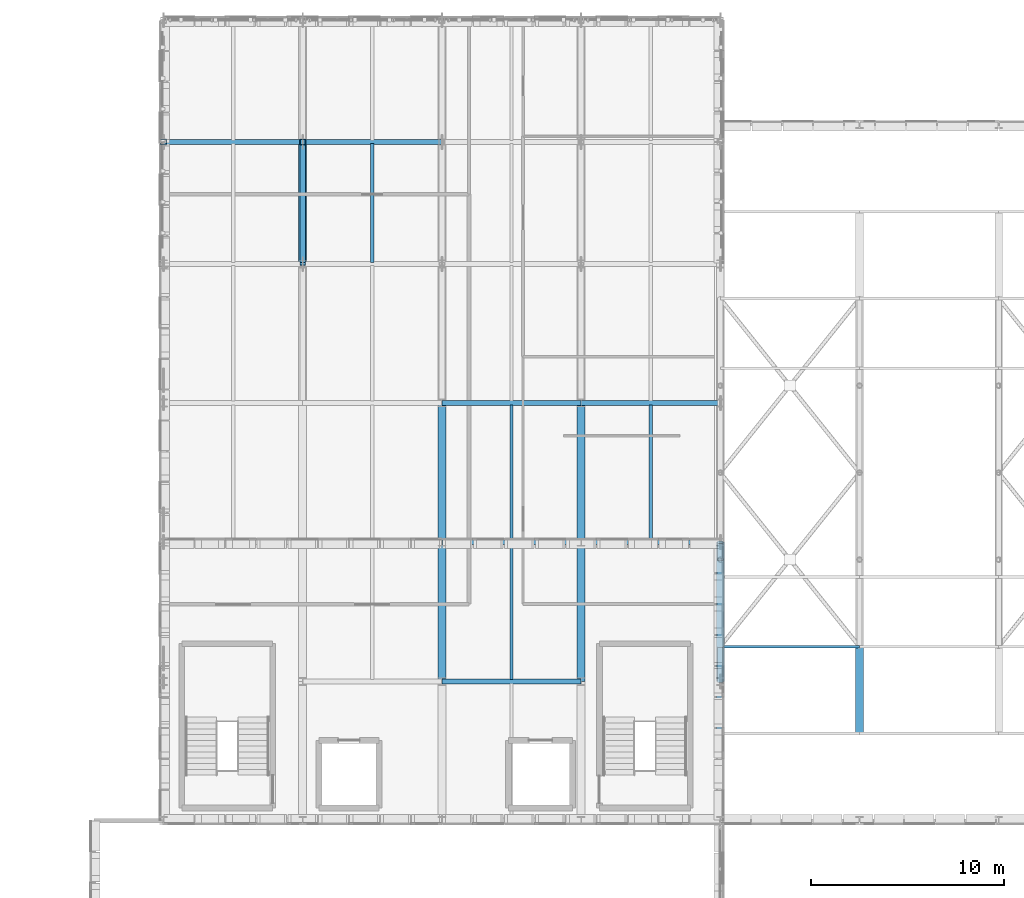
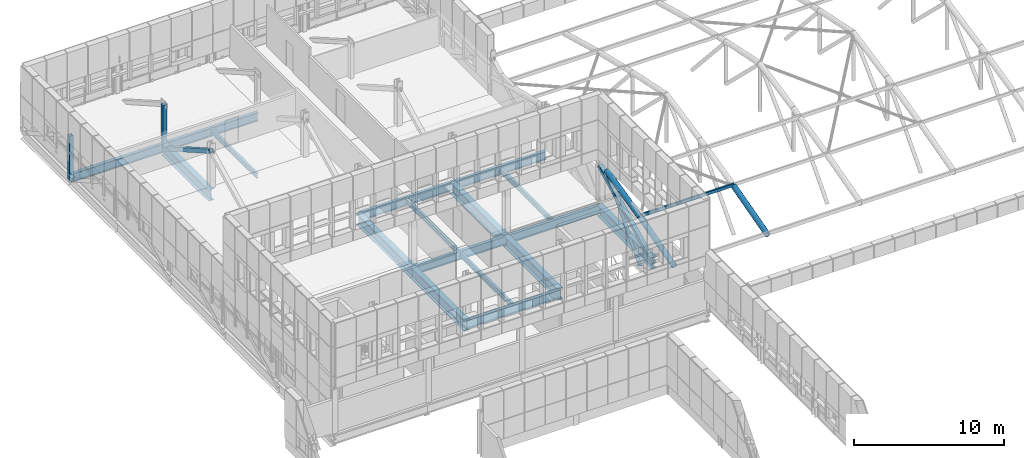
# One storey, part 21 of 96: 17 beams, 9 members.
"""IFC4 building model written with IfcOpenShell, lengths in metres."""

import ifcopenshell
import ifcopenshell.guid

model = None  # the IFC model being written
_history = None  # IfcOwnerHistory: only IFC2X3 demands one
_inside = {}  # id of a spatial element -> (the spatial element, [elements in it])
_under = {}  # id of a project, library or spatial element -> (it, [spatial elements below it])
_declared = {}  # id of a project -> (the project, [libraries it declares])
_typed = {}  # id of a type object -> (the type object, [elements of that type])
_made_of = {}  # id of a material, layer set ... -> (it, [elements and type objects made of it])


def new_model(schema):
    """Start an empty IFC model of exactly this schema.

    Asked for "IFC4X3", IfcOpenShell would pick the latest addendum, in which some entities
    have other attributes; the version numbers below select the first issue.
    IFC2X3 requires an IfcOwnerHistory on every rooted entity: one is made here for all.
    """
    global model, _history
    if schema == "IFC4X3":
        model = ifcopenshell.file(schema_version=(4, 3, 0, 0))
    else:
        model = ifcopenshell.file(schema=schema)
    _inside.clear()
    _under.clear()
    _declared.clear()
    _typed.clear()
    _made_of.clear()
    _history = None
    if model.schema == "IFC2X3":
        org = make("IfcOrganization", Name="unknown")
        user = make(
            "IfcPersonAndOrganization",
            ThePerson=make("IfcPerson", FamilyName="unknown"),
            TheOrganization=org,
        )
        app = make(
            "IfcApplication",
            ApplicationDeveloper=org,
            Version="unknown",
            ApplicationFullName="unknown",
            ApplicationIdentifier="unknown",
        )
        _history = make(
            "IfcOwnerHistory",
            OwningUser=user,
            OwningApplication=app,
            ChangeAction="ADDED",
            CreationDate=0,
        )
    return model


def make(cls, **values):
    """One entity of the class cls with the attributes given. An attribute that is None is left unset."""
    return model.create_entity(
        cls, **{name: value for name, value in values.items() if value is not None}
    )


def rooted(cls, **values):
    """An entity with a GlobalId (a new one), such as an element, a storey or a relation."""
    return make(cls, GlobalId=ifcopenshell.guid.new(), OwnerHistory=_history, **values)


def si_unit(unit_type, name, prefix=None):
    """IfcSIUnit, for example si_unit("LENGTHUNIT", "METRE", prefix="MILLI")."""
    return make("IfcSIUnit", UnitType=unit_type, Prefix=prefix, Name=name)


def assignment(units):
    """IfcUnitAssignment: the units of a project."""
    return None if units is None else make("IfcUnitAssignment", Units=units)


def point(xyz):
    """IfcCartesianPoint."""
    return None if xyz is None else make("IfcCartesianPoint", Coordinates=xyz)


def direction(xyz):
    """IfcDirection."""
    return None if xyz is None else make("IfcDirection", DirectionRatios=xyz)


def frame(location, z_axis=None, x_axis=None):
    """IfcAxis2Placement3D, a coordinate frame: its origin and axes. An axis left out is left unset."""
    return make(
        "IfcAxis2Placement3D",
        Location=point(location),
        Axis=direction(z_axis),
        RefDirection=direction(x_axis),
    )


def frame_2d(location, x_axis=None):
    """IfcAxis2Placement2D, a coordinate frame in the plane: its origin and x axis."""
    return make(
        "IfcAxis2Placement2D", Location=point(location), RefDirection=direction(x_axis)
    )


def origin():
    """The frame at (0, 0, 0) with its axes left unset."""
    return frame((0.0, 0.0, 0.0))


def origin_2d():
    """The frame at (0, 0) in the plane with its x axis left unset."""
    return frame_2d((0.0, 0.0))


def place(relative_to, where):
    """IfcLocalPlacement: puts the frame where relative to a parent placement (None: the world)."""
    return make(
        "IfcLocalPlacement", PlacementRelTo=relative_to, RelativePlacement=where
    )


def context(
    kind, dimensions, precision=None, world=None, true_north=None, identifier=None
):
    """IfcGeometricRepresentationContext, for example the 3D "Model" context."""
    return make(
        "IfcGeometricRepresentationContext",
        ContextIdentifier=identifier,
        ContextType=kind,
        CoordinateSpaceDimension=dimensions,
        Precision=precision,
        WorldCoordinateSystem=world,
        TrueNorth=true_north,
    )


def subcontext(parent, identifier, kind, view, scale=None):
    """IfcGeometricRepresentationSubContext, for example "Body" below "Model"."""
    return make(
        "IfcGeometricRepresentationSubContext",
        ContextIdentifier=identifier,
        ContextType=kind,
        ParentContext=parent,
        TargetScale=scale,
        TargetView=view,
    )


def project(units=None, contexts=None):
    """IfcProject with its units and contexts."""
    return rooted(
        "IfcProject",
        Name="project",
        RepresentationContexts=contexts,
        UnitsInContext=assignment(units),
    )


def spatial(cls, under=None, at=None, **own):
    """A site, building, storey or space (cls), placed at a placement, below another one or the project."""
    s = rooted(cls, ObjectPlacement=at, **own)
    if under is not None:
        _under.setdefault(under.id(), (under, []))[1].append(s)
    return s


def profile(cls, at=None, kind="AREA", **sizes):
    """A parametric profile (cls). Its sizes go by their IFC names, for example OverallWidth=200.0."""
    return make(cls, ProfileType=kind, Position=at, **sizes)


def hollow_rectangle(**sizes):
    """IfcRectangleHollowProfileDef."""
    return profile("IfcRectangleHollowProfileDef", **sizes)


def hollow_circle(**sizes):
    """IfcCircleHollowProfileDef."""
    return profile("IfcCircleHollowProfileDef", **sizes)


def i_section(**sizes):
    """IfcIShapeProfileDef."""
    return profile("IfcIShapeProfileDef", **sizes)


def extrude(swept, where, along, depth):
    """IfcExtrudedAreaSolid: the profile swept, set in the frame where, extruded along a direction by depth."""
    return make(
        "IfcExtrudedAreaSolid",
        SweptArea=swept,
        Position=where,
        ExtrudedDirection=direction(along),
        Depth=depth,
    )


def shape(context_of_items, identifier, shape_type, items):
    """IfcShapeRepresentation: the items that make up one representation, for example the "Body"."""
    return make(
        "IfcShapeRepresentation",
        ContextOfItems=context_of_items,
        RepresentationIdentifier=identifier,
        RepresentationType=shape_type,
        Items=items,
    )


def material(Name=None, Category=None):
    """IfcMaterial."""
    return make("IfcMaterial", Name=Name, Category=Category)


def material_profile(
    of_material, cross_section, Name=None, Category=None, Priority=None
):
    """IfcMaterialProfile: a cross section and its material."""
    return make(
        "IfcMaterialProfile",
        Name=Name,
        Material=of_material,
        Profile=cross_section,
        Priority=Priority,
        Category=Category,
    )


def profile_set(profiles, Name=None, composite=None):
    """IfcMaterialProfileSet."""
    return make(
        "IfcMaterialProfileSet",
        Name=Name,
        MaterialProfiles=profiles,
        CompositeProfile=composite,
    )


def made_of(thing, what):
    """Note that an element or type object is made of a material, layer set ...; save() writes the relation."""
    if what is not None:
        _made_of.setdefault(what.id(), (what, []))[1].append(thing)
    return thing


def type_object(cls, material=None, **own):
    """A type object (cls), such as IfcWallType, which elements share."""
    return made_of(rooted(cls, **own), material)


def element(
    cls,
    number,
    at=None,
    inside=None,
    cuts=None,
    type_object=None,
    material=None,
    context=None,
    identifier="Body",
    shape_type=None,
    held_by="IfcProductDefinitionShape",
    body=None,
    shapes=None,
    **own,
):
    """One element of the class cls, such as IfcWall. Its Tag is "e" and its number.

    at: its placement. inside: the storey or other place that contains it. cuts: it is an
    opening in that element (IfcRelVoidsElement). A single representation is given by context,
    identifier, shape_type and body (its items); several are given by shapes. held_by: the class
    of the entity that holds the representations. save() writes the other relations.
    """
    e = rooted(cls, Tag="e%d" % number, ObjectPlacement=at, **own)
    if body is not None:
        shapes = [shape(context, identifier, shape_type, body)]
    if shapes is not None:
        e.Representation = make(held_by, Representations=shapes)
    if inside is not None:
        _inside.setdefault(inside.id(), (inside, []))[1].append(e)
    if cuts is not None:
        rooted(
            "IfcRelVoidsElement", RelatingBuildingElement=cuts, RelatedOpeningElement=e
        )
    if type_object is not None:
        _typed.setdefault(type_object.id(), (type_object, []))[1].append(e)
    return made_of(e, material)


def aggregate(whole, parts):
    """IfcRelAggregates: a whole, such as a stair, and the parts it consists of."""
    return rooted("IfcRelAggregates", RelatingObject=whole, RelatedObjects=parts)


def save(model, path):
    """Write the relations noted so far, then the file.

    IfcRelAggregates (storeys below a building ...), IfcRelContainedInSpatialStructure (elements
    in a storey), IfcRelDefinesByType, IfcRelAssociatesMaterial and IfcRelDeclares: one each for
    every whole, place, type object, material and project.
    """
    for whole, parts in _under.values():
        aggregate(whole, parts)
    for where, things in _inside.values():
        rooted(
            "IfcRelContainedInSpatialStructure",
            RelatedElements=things,
            RelatingStructure=where,
        )
    for kind, things in _typed.values():
        rooted("IfcRelDefinesByType", RelatedObjects=things, RelatingType=kind)
    for what, things in _made_of.values():
        rooted("IfcRelAssociatesMaterial", RelatedObjects=things, RelatingMaterial=what)
    for by, libraries in _declared.values():
        rooted("IfcRelDeclares", RelatingContext=by, RelatedDefinitions=libraries)
    model.write(path)


model = new_model("IFC4")

# Units and contexts
model_context = context("Model", 3, precision=1e-05, world=origin(), true_north=direction((0.0, 1.0)))
body_context = subcontext(model_context, "Body", "Model", "MODEL_VIEW")
ifc_project = project(units=[si_unit("LENGTHUNIT", "METRE"), si_unit("AREAUNIT", "SQUARE_METRE"), si_unit("VOLUMEUNIT", "CUBIC_METRE"), si_unit("PLANEANGLEUNIT", "RADIAN"), si_unit("MASSUNIT", "GRAM", prefix="KILO")], contexts=[model_context])

# Site, building, storey
site_placement = place(None, origin())
site = spatial("IfcSite", under=ifc_project, at=site_placement, CompositionType="ELEMENT")
building_placement = place(site_placement, origin())
building = spatial("IfcBuilding", under=site, at=building_placement, Name="Yarey Park Central Fire Station", CompositionType="ELEMENT")
storey_placement = place(building_placement, frame((0.0, 0.0, 14.39990234375)))
storey = spatial("IfcBuildingStorey", under=building, at=storey_placement, Name="L04", CompositionType="ELEMENT", Elevation=14.39990234375)

# Beams
ifc_material_1 = material(Name="Steel ASTM A992 Gr. 50", Category="steel")
ifc_material_profile_1 = material_profile(ifc_material_1, i_section(OverallWidth=0.256103515625, OverallDepth=0.693115234375, WebThickness=0.014404296875, FlangeThickness=0.023681640625, at=origin_2d()), Name="W690x170")
ifc_profile_set_1 = profile_set([ifc_material_profile_1], Name="Steel ASTM A992 Gr. 50")
beam_type_1 = type_object("IfcBeamType", Name="STR_BM_W690", PredefinedType="BEAM", material=ifc_profile_set_1)
for number, where, z_axis, x_axis, name in (
    (1, (28.800048828125, 92.699951171875, -0.596435546875), (1.0, 0.0, 0.0), (0.0, 1.0, 0.0), "CANT TIE L04 Y927 X28"),
    (2, (36.0, 92.699951171875, -0.596435546875), (1.0, 0.0, 0.0), (0.0, 1.0, 0.0), "CANT TIE L04 Y927 X36"),
    (3, (43.199951171875, 64.800048828125, -0.596435546875), (1.0, 0.0, 0.0), (0.0, 1.0, 0.0), "BMX L04 Y648 X432"),
    (4, (43.199951171875, 72.0, -0.596435546875), (1.0, 0.0, 0.0), (0.0, 1.0, 0.0), "BMX L04 Y720 X432"),
):
    element("IfcBeam", number, at=place(storey_placement, frame(where, z_axis=z_axis, x_axis=x_axis)), inside=storey, type_object=beam_type_1, Name=name, PredefinedType="BEAM", context=body_context, shape_type="SweptSolid", body=[
        extrude(i_section(OverallWidth=0.256103515625, OverallDepth=0.693115234375, WebThickness=0.014404296875, FlangeThickness=0.023681640625, at=origin_2d()), origin(), (0.0, 0.0, 1.0), 7.199951171875),
    ])
beam_1_placement = place(storey_placement, frame((50.39990234375, 72.0, -0.596435546875), z_axis=(1.0, 0.0, 0.0), x_axis=(0.0, 1.0, 0.0)))
element("IfcBeam", 5, at=beam_1_placement, inside=storey, type_object=beam_type_1, Name="BMX L04 Y720 X504", PredefinedType="BEAM", context=body_context, shape_type="SweptSolid", body=[
    extrude(i_section(OverallWidth=0.256103515625, OverallDepth=0.693115234375, WebThickness=0.014404296875, FlangeThickness=0.023681640625, at=origin_2d()), origin(), (0.0, 0.0, 1.0), 7.2001953125),
])
beam_2_placement = place(storey_placement, frame((43.199951171875, 79.199951171875, -0.596435546875), z_axis=(1.0, 0.0, 0.0), x_axis=(0.0, 1.0, 0.0)))
element("IfcBeam", 6, at=beam_2_placement, inside=storey, type_object=beam_type_1, Name="BMX L04 Y792 X432", PredefinedType="BEAM", context=body_context, shape_type="SweptSolid", body=[
    extrude(i_section(OverallWidth=0.256103515625, OverallDepth=0.693115234375, WebThickness=0.014404296875, FlangeThickness=0.023681640625, at=origin_2d()), origin(), (0.0, 0.0, 1.0), 7.199951171875),
])
beam_3_placement = place(storey_placement, frame((50.39990234375, 79.199951171875, -0.596435546875), z_axis=(1.0, 0.0, 0.0), x_axis=(0.0, 1.0, 0.0)))
element("IfcBeam", 7, at=beam_3_placement, inside=storey, type_object=beam_type_1, Name="BMX L04 Y792 X504", PredefinedType="BEAM", context=body_context, shape_type="SweptSolid", body=[
    extrude(i_section(OverallWidth=0.256103515625, OverallDepth=0.693115234375, WebThickness=0.014404296875, FlangeThickness=0.023681640625, at=origin_2d()), origin(), (0.0, 0.0, 1.0), 7.2001953125),
])
ifc_material_profile_2 = material_profile(ifc_material_1, i_section(OverallWidth=0.41796875, OverallDepth=0.912109375, WebThickness=0.019287109375, FlangeThickness=0.031982421875, at=origin_2d()), Name="W920x342")
ifc_profile_set_2 = profile_set([ifc_material_profile_2], Name="Steel ASTM A992 Gr. 50")
beam_type_2 = type_object("IfcBeamType", Name="STR_BM_W920", PredefinedType="BEAM", material=ifc_profile_set_2)
beam_4_placement = place(storey_placement, frame((36.0, 86.39990234375, -0.705810546875), z_axis=(0.0, 1.0, 0.0), x_axis=(-1.0, 0.0, 0.0)))
element("IfcBeam", 8, at=beam_4_placement, inside=storey, type_object=beam_type_2, Name="Transfer Truss TT2 L04 CH5", PredefinedType="BEAM", context=body_context, shape_type="SweptSolid", body=[
    extrude(i_section(OverallWidth=0.41796875, OverallDepth=0.912109375, WebThickness=0.019287109375, FlangeThickness=0.031982421875, at=origin_2d()), origin(), (0.0, 0.0, 1.0), 6.300048828125),
])
for number, where, z_axis, x_axis, name in (
    (9, (43.199951171875, 64.800048828125, -0.705810546875), (0.0, 1.0, 0.0), (-1.0, 0.0, 0.0), "Transfer Truss TT3 L04 CH2"),
    (10, (43.199951171875, 72.0, -0.705810546875), (0.0, 1.0, 0.0), (-1.0, 0.0, 0.0), "Transfer Truss TT3 L04 CH3"),
    (11, (50.39990234375, 64.800048828125, -0.705810546875), (0.0, 1.0, 0.0), (-1.0, 0.0, 0.0), "Transfer Truss TT4 L04 CH2"),
    (12, (50.39990234375, 72.0, -0.705810546875), (0.0, 1.0, 0.0), (-1.0, 0.0, 0.0), "Transfer Truss TT4 L04 CH3"),
):
    element("IfcBeam", number, at=place(storey_placement, frame(where, z_axis=z_axis, x_axis=x_axis)), inside=storey, type_object=beam_type_2, Name=name, PredefinedType="BEAM", context=body_context, shape_type="SweptSolid", body=[
        extrude(i_section(OverallWidth=0.41796875, OverallDepth=0.912109375, WebThickness=0.019287109375, FlangeThickness=0.031982421875, at=origin_2d()), origin(), (0.0, 0.0, 1.0), 7.199951171875),
    ])
ifc_material_profile_3 = material_profile(ifc_material_1, i_section(OverallWidth=0.41796875, OverallDepth=0.912109375, WebThickness=0.019287109375, FlangeThickness=0.031982421875, at=origin_2d()), Name="W920x342")
ifc_profile_set_3 = profile_set([ifc_material_profile_3], Name="Steel ASTM A992 Gr. 50")
beam_type_3 = type_object("IfcBeamType", Name="STR_BM_W920E", PredefinedType="BEAM", material=ifc_profile_set_3)
beam_5_placement = place(storey_placement, frame((57.60009765625, 64.800048828125, -0.705810546875), z_axis=(0.0, 1.0, 0.0), x_axis=(-1.0, 0.0, 0.0)))
element("IfcBeam", 13, at=beam_5_placement, inside=storey, type_object=beam_type_3, Name="Transfer Truss TT5 L04 CH2", PredefinedType="BEAM", context=body_context, shape_type="SweptSolid", body=[
    extrude(i_section(OverallWidth=0.41796875, OverallDepth=0.912109375, WebThickness=0.019287109375, FlangeThickness=0.031982421875, at=origin_2d()), origin(), (0.0, 0.0, 1.0), 7.199951171875),
])

# Members
ifc_material_2 = material(Name="Steel ASTM A500 Gr. C", Category="steel")
ifc_material_profile_4 = material_profile(ifc_material_2, hollow_circle(Radius=0.203125, WallThickness=0.01611328125, at=origin_2d()), Name="CHS 406.4x16")
ifc_profile_set_4 = profile_set([ifc_material_profile_4], Name="Steel ASTM A500 Gr. C")
member_type_1 = type_object("IfcMemberType", Name="STR_CHORD_CHS406", PredefinedType="CHORD", material=ifc_profile_set_4)
member_1_placement = place(storey_placement, frame((57.60009765625, 62.10009765625, 0.717529296875), z_axis=(0.0, 0.965014687101, 0.262195830783), x_axis=(-1.0, 0.0, 0.0)))
element("IfcMember", 14, at=member_1_placement, inside=storey, type_object=member_type_1, Name="Arched Roof Truss ART_01 Top Chord 2", PredefinedType="CHORD", context=body_context, shape_type="SweptSolid", body=[
    extrude(hollow_circle(Radius=0.203125, WallThickness=0.01611328125, at=origin_2d()), origin(), (0.0, 0.0, 1.0), 4.6630859375),
])
member_2_placement = place(storey_placement, frame((57.60009765625, 66.60009765625, 1.940185546875), z_axis=(0.0, 0.97355760432, 0.228441657915), x_axis=(-1.0, 0.0, 0.0)))
element("IfcMember", 15, at=member_2_placement, inside=storey, type_object=member_type_1, Name="Arched Roof Truss ART_01 Top Chord 3", PredefinedType="CHORD", context=body_context, shape_type="SweptSolid", body=[
    extrude(hollow_circle(Radius=0.203125, WallThickness=0.01611328125, at=origin_2d()), origin(), (0.0, 0.0, 1.0), 4.622314453125),
])
member_3_placement = place(storey_placement, frame((64.800048828125, 62.10009765625, 0.717529296875), z_axis=(0.0, 0.965014687101, 0.262195830783), x_axis=(-1.0, 0.0, 0.0)))
element("IfcMember", 16, at=member_3_placement, inside=storey, type_object=member_type_1, Name="Arched Roof Truss ART_02 Top Chord 2", PredefinedType="CHORD", context=body_context, shape_type="SweptSolid", body=[
    extrude(hollow_circle(Radius=0.203125, WallThickness=0.01611328125, at=origin_2d()), origin(), (0.0, 0.0, 1.0), 4.6630859375),
])
ifc_material_profile_5 = material_profile(ifc_material_2, hollow_rectangle(XDim=0.125, YDim=0.25, WallThickness=0.008056640625, at=origin_2d()), Name="HSS 250x125x8")
ifc_profile_set_5 = profile_set([ifc_material_profile_5], Name="Steel ASTM A500 Gr. C")
member_type_2 = type_object("IfcMemberType", Name="STR_GIRT_HSS250", PredefinedType="PURLIN", material=ifc_profile_set_5)
member_4_placement = place(storey_placement, frame((57.60009765625, 66.60009765625, 2.0791015625), z_axis=(1.0, 0.0, 0.0), x_axis=(0.0, 1.0, 0.0)))
element("IfcMember", 17, at=member_4_placement, inside=storey, type_object=member_type_2, Name="PUR_ARCH_B01_2", PredefinedType="PURLIN", context=body_context, shape_type="SweptSolid", body=[
    extrude(hollow_rectangle(XDim=0.125, YDim=0.25, WallThickness=0.008056640625, at=origin_2d()), origin(), (0.0, 0.0, 1.0), 7.199951171875),
])

# Beams
ifc_material_profile_6 = material_profile(ifc_material_1, i_section(OverallWidth=0.177978515625, OverallDepth=0.406982421875, WebThickness=0.0078125, FlangeThickness=0.0126953125, at=origin_2d()), Name="W410x60")
ifc_profile_set_6 = profile_set([ifc_material_profile_6], Name="Steel ASTM A992 Gr. 50")
beam_type_4 = type_object("IfcBeamType", Name="STR_JST_W410", PredefinedType="JOIST", material=ifc_profile_set_6)
beam_6_placement = place(storey_placement, frame((39.60009765625, 86.47998046875, -0.453369140625), z_axis=(0.0, 1.0, 0.0), x_axis=(-1.0, 0.0, 0.0)))
element("IfcBeam", 18, at=beam_6_placement, inside=storey, type_object=beam_type_4, Name="CANT JST L04 X396 Y864", PredefinedType="JOIST", context=body_context, shape_type="SweptSolid", body=[
    extrude(i_section(OverallWidth=0.177978515625, OverallDepth=0.406982421875, WebThickness=0.0078125, FlangeThickness=0.0126953125, at=origin_2d()), origin(), (0.0, 0.0, 1.0), 6.14013671875),
])
for number, where, z_axis, x_axis, name in (
    (19, (46.800048828125, 64.89501953125, -0.453369140625), (0.0, 1.0, 0.0), (-1.0, 0.0, 0.0), "JST L04 X468 Y648"),
    (20, (46.800048828125, 72.094970703125, -0.453369140625), (0.0, 1.0, 0.0), (-1.0, 0.0, 0.0), "JST L04 X468 Y720"),
    (21, (54.0, 72.094970703125, -0.453369140625), (0.0, 1.0, 0.0), (-1.0, 0.0, 0.0), "JST L04 X540 Y720"),
):
    element("IfcBeam", number, at=place(storey_placement, frame(where, z_axis=z_axis, x_axis=x_axis)), inside=storey, type_object=beam_type_4, Name=name, PredefinedType="JOIST", context=body_context, shape_type="SweptSolid", body=[
        extrude(i_section(OverallWidth=0.177978515625, OverallDepth=0.406982421875, WebThickness=0.0078125, FlangeThickness=0.0126953125, at=origin_2d()), origin(), (0.0, 0.0, 1.0), 7.010009765625),
    ])

# Members
ifc_material_profile_7 = material_profile(ifc_material_2, hollow_rectangle(XDim=0.300048828125, YDim=0.300048828125, WallThickness=0.01611328125, at=origin_2d()), Name="HSS 300x300x16")
ifc_profile_set_7 = profile_set([ifc_material_profile_7], Name="Steel ASTM A500 Gr. C")
member_type_3 = type_object("IfcMemberType", Name="STR_PRATT_HSS300", PredefinedType="BRACE", material=ifc_profile_set_7)
member_5_placement = place(storey_placement, frame((36.0, 86.39990234375, 2.900146484375), z_axis=(0.0, 0.868239001029, -0.496146185203), x_axis=(-1.0, 0.0, 0.0)))
element("IfcMember", 22, at=member_5_placement, inside=storey, type_object=member_type_3, Name="TT2_L04_DIAG5", PredefinedType="BRACE", context=body_context, shape_type="SweptSolid", body=[
    extrude(hollow_rectangle(XDim=0.300048828125, YDim=0.300048828125, WallThickness=0.01611328125, at=origin_2d()), origin(), (0.0, 0.0, 1.0), 7.256103515625),
])
member_6_placement = place(storey_placement, frame((36.0, 92.699951171875, -0.699951171875), z_axis=(0.0, 0.0, 1.0), x_axis=(1.0, 0.0, 0.0)))
element("IfcMember", 23, at=member_6_placement, inside=storey, type_object=member_type_3, Name="TT2_L04_POST_927", PredefinedType="BRACE", context=body_context, shape_type="SweptSolid", body=[
    extrude(hollow_rectangle(XDim=0.300048828125, YDim=0.300048828125, WallThickness=0.01611328125, at=origin_2d()), origin(), (0.0, 0.0, 1.0), 3.60009765625),
])
ifc_material_profile_8 = material_profile(ifc_material_2, hollow_rectangle(XDim=0.300048828125, YDim=0.300048828125, WallThickness=0.01611328125, at=origin_2d()), Name="HSS 300x300x16")
ifc_profile_set_8 = profile_set([ifc_material_profile_8], Name="Steel ASTM A500 Gr. C")
member_type_4 = type_object("IfcMemberType", Name="STR_PRATT_HSS300E", PredefinedType="BRACE", material=ifc_profile_set_8)
member_7_placement = place(storey_placement, frame((28.800048828125, 92.699951171875, -0.699951171875), z_axis=(0.0, 0.0, 1.0), x_axis=(1.0, 0.0, 0.0)))
element("IfcMember", 24, at=member_7_placement, inside=storey, type_object=member_type_4, Name="TT1_L04_POST_927", PredefinedType="BRACE", context=body_context, shape_type="SweptSolid", body=[
    extrude(hollow_rectangle(XDim=0.300048828125, YDim=0.300048828125, WallThickness=0.01611328125, at=origin_2d()), origin(), (0.0, 0.0, 1.0), 3.60009765625),
])
member_8_placement = place(storey_placement, frame((57.60009765625, 64.800048828125, -0.699951171875), z_axis=(0.0, 0.894421125195, 0.447225726904), x_axis=(-1.0, 0.0, 0.0)))
element("IfcMember", 25, at=member_8_placement, inside=storey, type_object=member_type_4, Name="TT5_L04_DIAG2", PredefinedType="BRACE", context=body_context, shape_type="SweptSolid", body=[
    extrude(hollow_rectangle(XDim=0.300048828125, YDim=0.300048828125, WallThickness=0.01611328125, at=origin_2d()), origin(), (0.0, 0.0, 1.0), 8.0498046875),
])
ifc_material_profile_9 = material_profile(ifc_material_2, hollow_circle(Radius=0.136474609375, WallThickness=0.012451171875, at=origin_2d()), Name="CHS 273x12.5")
ifc_profile_set_9 = profile_set([ifc_material_profile_9], Name="Steel ASTM A500 Gr. C")
member_type_5 = type_object("IfcMemberType", Name="STR_WEB_CHS273", PredefinedType="BRACE", material=ifc_profile_set_9)
member_9_placement = place(storey_placement, frame((57.60009765625, 66.60009765625, -2.02490234375), z_axis=(0.0, 0.667414870686, 0.744686101916), x_axis=(-1.0, 0.0, 0.0)))
element("IfcMember", 26, at=member_9_placement, inside=storey, type_object=member_type_5, Name="Arched Roof Truss ART_01 Diagonal 3", PredefinedType="BRACE", context=body_context, shape_type="SweptSolid", body=[
    extrude(hollow_circle(Radius=0.136474609375, WallThickness=0.012451171875, at=origin_2d()), origin(), (0.0, 0.0, 1.0), 6.742431640625),
])

save(model, "model.ifc")
